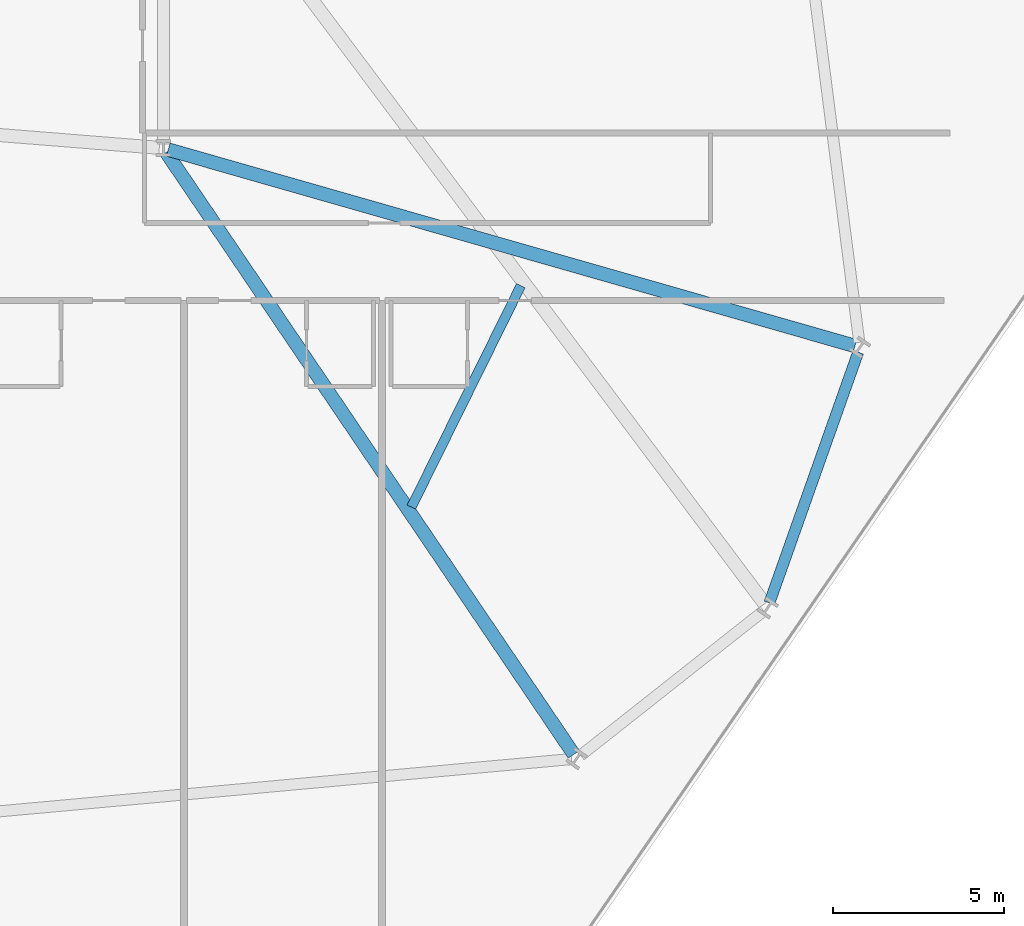
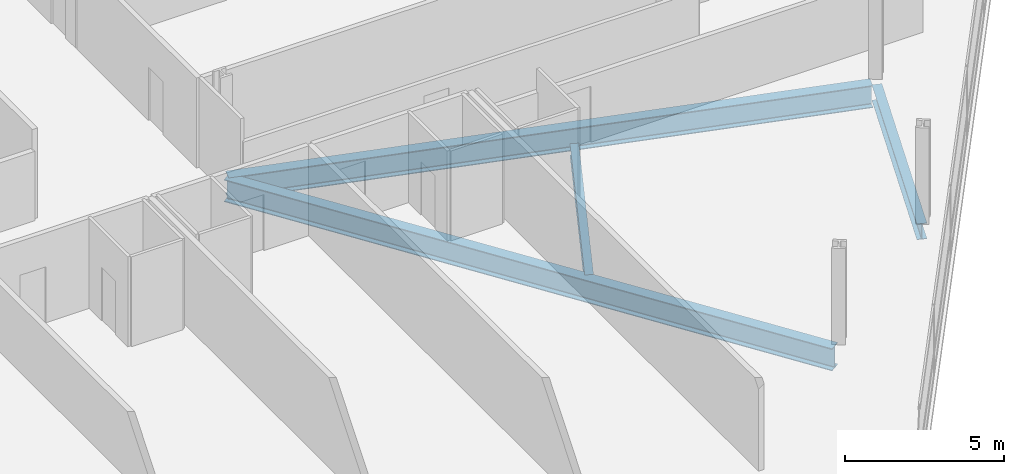
# One storey, part 8 of 25: 4 beams.
"""IFC4 building model written with IfcOpenShell, lengths in metres."""

import ifcopenshell
import ifcopenshell.guid

model = None  # the IFC model being written
_history = None  # IfcOwnerHistory: only IFC2X3 demands one
_inside = {}  # id of a spatial element -> (the spatial element, [elements in it])
_under = {}  # id of a project, library or spatial element -> (it, [spatial elements below it])
_declared = {}  # id of a project -> (the project, [libraries it declares])
_typed = {}  # id of a type object -> (the type object, [elements of that type])
_made_of = {}  # id of a material, layer set ... -> (it, [elements and type objects made of it])


def new_model(schema):
    """Start an empty IFC model of exactly this schema.

    Asked for "IFC4X3", IfcOpenShell would pick the latest addendum, in which some entities
    have other attributes; the version numbers below select the first issue.
    IFC2X3 requires an IfcOwnerHistory on every rooted entity: one is made here for all.
    """
    global model, _history
    if schema == "IFC4X3":
        model = ifcopenshell.file(schema_version=(4, 3, 0, 0))
    else:
        model = ifcopenshell.file(schema=schema)
    _inside.clear()
    _under.clear()
    _declared.clear()
    _typed.clear()
    _made_of.clear()
    _history = None
    if model.schema == "IFC2X3":
        org = make("IfcOrganization", Name="unknown")
        user = make(
            "IfcPersonAndOrganization",
            ThePerson=make("IfcPerson", FamilyName="unknown"),
            TheOrganization=org,
        )
        app = make(
            "IfcApplication",
            ApplicationDeveloper=org,
            Version="unknown",
            ApplicationFullName="unknown",
            ApplicationIdentifier="unknown",
        )
        _history = make(
            "IfcOwnerHistory",
            OwningUser=user,
            OwningApplication=app,
            ChangeAction="ADDED",
            CreationDate=0,
        )
    return model


def make(cls, **values):
    """One entity of the class cls with the attributes given. An attribute that is None is left unset."""
    return model.create_entity(
        cls, **{name: value for name, value in values.items() if value is not None}
    )


def rooted(cls, **values):
    """An entity with a GlobalId (a new one), such as an element, a storey or a relation."""
    return make(cls, GlobalId=ifcopenshell.guid.new(), OwnerHistory=_history, **values)


def si_unit(unit_type, name, prefix=None):
    """IfcSIUnit, for example si_unit("LENGTHUNIT", "METRE", prefix="MILLI")."""
    return make("IfcSIUnit", UnitType=unit_type, Prefix=prefix, Name=name)


def assignment(units):
    """IfcUnitAssignment: the units of a project."""
    return None if units is None else make("IfcUnitAssignment", Units=units)


def point(xyz):
    """IfcCartesianPoint."""
    return None if xyz is None else make("IfcCartesianPoint", Coordinates=xyz)


def direction(xyz):
    """IfcDirection."""
    return None if xyz is None else make("IfcDirection", DirectionRatios=xyz)


def frame(location, z_axis=None, x_axis=None):
    """IfcAxis2Placement3D, a coordinate frame: its origin and axes. An axis left out is left unset."""
    return make(
        "IfcAxis2Placement3D",
        Location=point(location),
        Axis=direction(z_axis),
        RefDirection=direction(x_axis),
    )


def frame_2d(location, x_axis=None):
    """IfcAxis2Placement2D, a coordinate frame in the plane: its origin and x axis."""
    return make(
        "IfcAxis2Placement2D", Location=point(location), RefDirection=direction(x_axis)
    )


def origin():
    """The frame at (0, 0, 0) with its axes left unset."""
    return frame((0.0, 0.0, 0.0))


def origin_2d():
    """The frame at (0, 0) in the plane with its x axis left unset."""
    return frame_2d((0.0, 0.0))


def place(relative_to, where):
    """IfcLocalPlacement: puts the frame where relative to a parent placement (None: the world)."""
    return make(
        "IfcLocalPlacement", PlacementRelTo=relative_to, RelativePlacement=where
    )


def context(
    kind, dimensions, precision=None, world=None, true_north=None, identifier=None
):
    """IfcGeometricRepresentationContext, for example the 3D "Model" context."""
    return make(
        "IfcGeometricRepresentationContext",
        ContextIdentifier=identifier,
        ContextType=kind,
        CoordinateSpaceDimension=dimensions,
        Precision=precision,
        WorldCoordinateSystem=world,
        TrueNorth=true_north,
    )


def subcontext(parent, identifier, kind, view, scale=None):
    """IfcGeometricRepresentationSubContext, for example "Body" below "Model"."""
    return make(
        "IfcGeometricRepresentationSubContext",
        ContextIdentifier=identifier,
        ContextType=kind,
        ParentContext=parent,
        TargetScale=scale,
        TargetView=view,
    )


def project(units=None, contexts=None):
    """IfcProject with its units and contexts."""
    return rooted(
        "IfcProject",
        Name="project",
        RepresentationContexts=contexts,
        UnitsInContext=assignment(units),
    )


def spatial(cls, under=None, at=None, **own):
    """A site, building, storey or space (cls), placed at a placement, below another one or the project."""
    s = rooted(cls, ObjectPlacement=at, **own)
    if under is not None:
        _under.setdefault(under.id(), (under, []))[1].append(s)
    return s


def profile(cls, at=None, kind="AREA", **sizes):
    """A parametric profile (cls). Its sizes go by their IFC names, for example OverallWidth=200.0."""
    return make(cls, ProfileType=kind, Position=at, **sizes)


def i_section(**sizes):
    """IfcIShapeProfileDef."""
    return profile("IfcIShapeProfileDef", **sizes)


def extrude(swept, where, along, depth):
    """IfcExtrudedAreaSolid: the profile swept, set in the frame where, extruded along a direction by depth."""
    return make(
        "IfcExtrudedAreaSolid",
        SweptArea=swept,
        Position=where,
        ExtrudedDirection=direction(along),
        Depth=depth,
    )


def shape(context_of_items, identifier, shape_type, items):
    """IfcShapeRepresentation: the items that make up one representation, for example the "Body"."""
    return make(
        "IfcShapeRepresentation",
        ContextOfItems=context_of_items,
        RepresentationIdentifier=identifier,
        RepresentationType=shape_type,
        Items=items,
    )


def material(Name=None, Category=None):
    """IfcMaterial."""
    return make("IfcMaterial", Name=Name, Category=Category)


def material_profile(
    of_material, cross_section, Name=None, Category=None, Priority=None
):
    """IfcMaterialProfile: a cross section and its material."""
    return make(
        "IfcMaterialProfile",
        Name=Name,
        Material=of_material,
        Profile=cross_section,
        Priority=Priority,
        Category=Category,
    )


def profile_set(profiles, Name=None, composite=None):
    """IfcMaterialProfileSet."""
    return make(
        "IfcMaterialProfileSet",
        Name=Name,
        MaterialProfiles=profiles,
        CompositeProfile=composite,
    )


def made_of(thing, what):
    """Note that an element or type object is made of a material, layer set ...; save() writes the relation."""
    if what is not None:
        _made_of.setdefault(what.id(), (what, []))[1].append(thing)
    return thing


def type_object(cls, material=None, **own):
    """A type object (cls), such as IfcWallType, which elements share."""
    return made_of(rooted(cls, **own), material)


def element(
    cls,
    number,
    at=None,
    inside=None,
    cuts=None,
    type_object=None,
    material=None,
    context=None,
    identifier="Body",
    shape_type=None,
    held_by="IfcProductDefinitionShape",
    body=None,
    shapes=None,
    **own,
):
    """One element of the class cls, such as IfcWall. Its Tag is "e" and its number.

    at: its placement. inside: the storey or other place that contains it. cuts: it is an
    opening in that element (IfcRelVoidsElement). A single representation is given by context,
    identifier, shape_type and body (its items); several are given by shapes. held_by: the class
    of the entity that holds the representations. save() writes the other relations.
    """
    e = rooted(cls, Tag="e%d" % number, ObjectPlacement=at, **own)
    if body is not None:
        shapes = [shape(context, identifier, shape_type, body)]
    if shapes is not None:
        e.Representation = make(held_by, Representations=shapes)
    if inside is not None:
        _inside.setdefault(inside.id(), (inside, []))[1].append(e)
    if cuts is not None:
        rooted(
            "IfcRelVoidsElement", RelatingBuildingElement=cuts, RelatedOpeningElement=e
        )
    if type_object is not None:
        _typed.setdefault(type_object.id(), (type_object, []))[1].append(e)
    return made_of(e, material)


def aggregate(whole, parts):
    """IfcRelAggregates: a whole, such as a stair, and the parts it consists of."""
    return rooted("IfcRelAggregates", RelatingObject=whole, RelatedObjects=parts)


def save(model, path):
    """Write the relations noted so far, then the file.

    IfcRelAggregates (storeys below a building ...), IfcRelContainedInSpatialStructure (elements
    in a storey), IfcRelDefinesByType, IfcRelAssociatesMaterial and IfcRelDeclares: one each for
    every whole, place, type object, material and project.
    """
    for whole, parts in _under.values():
        aggregate(whole, parts)
    for where, things in _inside.values():
        rooted(
            "IfcRelContainedInSpatialStructure",
            RelatedElements=things,
            RelatingStructure=where,
        )
    for kind, things in _typed.values():
        rooted("IfcRelDefinesByType", RelatedObjects=things, RelatingType=kind)
    for what, things in _made_of.values():
        rooted("IfcRelAssociatesMaterial", RelatedObjects=things, RelatingMaterial=what)
    for by, libraries in _declared.values():
        rooted("IfcRelDeclares", RelatingContext=by, RelatedDefinitions=libraries)
    model.write(path)


model = new_model("IFC4")

# Units and contexts
model_context = context("Model", 3, precision=1e-05, world=origin(), true_north=direction((0.0, 1.0)))
body_context = subcontext(model_context, "Body", "Model", "MODEL_VIEW")
ifc_project = project(units=[si_unit("LENGTHUNIT", "METRE"), si_unit("AREAUNIT", "SQUARE_METRE"), si_unit("VOLUMEUNIT", "CUBIC_METRE"), si_unit("PLANEANGLEUNIT", "RADIAN"), si_unit("MASSUNIT", "GRAM", prefix="KILO")], contexts=[model_context])

# Site, building, storey
site_placement = place(None, origin())
site = spatial("IfcSite", under=ifc_project, at=site_placement, CompositionType="ELEMENT")
building_placement = place(site_placement, origin())
building = spatial("IfcBuilding", under=site, at=building_placement, Name="Varnelok Gate Tower", CompositionType="ELEMENT")
storey_placement = place(building_placement, frame((0.0, 0.0, 64.0)))
storey = spatial("IfcBuildingStorey", under=building, at=storey_placement, Name="L15", CompositionType="ELEMENT", Elevation=64.0)

# Beams
ifc_material = material(Name="Structural Steel ASTM A992 Grade 50", Category="steel")
ifc_material_profile_1 = material_profile(ifc_material, i_section(OverallWidth=0.280029296875, OverallDepth=0.462890625, WebThickness=0.0107421875, FlangeThickness=0.017333984375, FilletRadius=0.014892578125, at=origin_2d()), Name="W18X76")
ifc_profile_set_1 = profile_set([ifc_material_profile_1], Name="Structural Steel ASTM A992 Grade 50")
beam_type_1 = type_object("IfcBeamType", Name="BM-JST-W18X76", PredefinedType="JOIST", material=ifc_profile_set_1)
beam_1_placement = place(storey_placement, frame((61.25244140625, 8.306396484375, -0.4814453125), z_axis=(0.443164269457, 0.896440422045, 0.0), x_axis=(-0.896440422045, 0.443164269457, 0.0)))
element("IfcBeam", 1, at=beam_1_placement, inside=storey, type_object=beam_type_1, Name="L15 Sector Floor Joist 5", PredefinedType="JOIST", context=body_context, shape_type="SweptSolid", body=[
    extrude(i_section(OverallWidth=0.280029296875, OverallDepth=0.462890625, WebThickness=0.0107421875, FlangeThickness=0.017333984375, FilletRadius=0.014892578125, at=origin_2d()), origin(), (0.0, 0.0, 1.0), 7.218994140625),
])
ifc_material_profile_2 = material_profile(ifc_material, i_section(OverallWidth=0.39892578125, OverallDepth=0.85498046875, WebThickness=0.018310546875, FlangeThickness=0.029296875, FilletRadius=0.02392578125, at=origin_2d()), Name="W33X201")
ifc_profile_set_2 = profile_set([ifc_material_profile_2], Name="Structural Steel ASTM A992 Grade 50")
beam_type_2 = type_object("IfcBeamType", Name="BM-PRI-W33X201", PredefinedType="BEAM", material=ifc_profile_set_2)
beam_2_placement = place(storey_placement, frame((54.083984375, 18.67578125, -0.677490234375), z_axis=(0.560684565433, -0.828029478995, 0.0), x_axis=(0.828029478995, 0.560684565433, 0.0)))
element("IfcBeam", 2, at=beam_2_placement, inside=storey, type_object=beam_type_2, Name="L15 Radial Floor Girder 6", PredefinedType="BEAM", context=body_context, shape_type="SweptSolid", body=[
    extrude(i_section(OverallWidth=0.39892578125, OverallDepth=0.85498046875, WebThickness=0.018310546875, FlangeThickness=0.029296875, FilletRadius=0.02392578125, at=origin_2d()), origin(), (0.0, 0.0, 1.0), 21.25390625),
])
beam_3_placement = place(storey_placement, frame((54.144287109375, 18.7587890625, -0.677490234375), z_axis=(0.961463485116, -0.274932658643, 0.0), x_axis=(0.274932658643, 0.961463485116, 0.0)))
element("IfcBeam", 3, at=beam_3_placement, inside=storey, type_object=beam_type_2, Name="L15 Radial Floor Girder 8", PredefinedType="BEAM", context=body_context, shape_type="SweptSolid", body=[
    extrude(i_section(OverallWidth=0.39892578125, OverallDepth=0.85498046875, WebThickness=0.018310546875, FlangeThickness=0.029296875, FilletRadius=0.02392578125, at=origin_2d()), origin(), (0.0, 0.0, 1.0), 20.883056640625),
])
ifc_material_profile_3 = material_profile(ifc_material, i_section(OverallWidth=0.323974609375, OverallDepth=0.611083984375, WebThickness=0.0126953125, FlangeThickness=0.01904296875, FilletRadius=0.01806640625, at=origin_2d()), Name="W24X104")
ifc_profile_set_3 = profile_set([ifc_material_profile_3], Name="Structural Steel ASTM A992 Grade 50")
beam_type_3 = type_object("IfcBeamType", Name="BM-SPN-W24X104", PredefinedType="SPANDREL", material=ifc_profile_set_3)
beam_4_placement = place(storey_placement, frame((71.72021484375, 5.50390625, -0.555419921875), z_axis=(0.333887238705, 0.942613023372, 0.0), x_axis=(-0.942613023372, 0.333887238705, 0.0)))
element("IfcBeam", 4, at=beam_4_placement, inside=storey, type_object=beam_type_3, Name="L15 Perimeter Spandrel Beam 7", PredefinedType="SPANDREL", context=body_context, shape_type="SweptSolid", body=[
    extrude(i_section(OverallWidth=0.323974609375, OverallDepth=0.611083984375, WebThickness=0.0126953125, FlangeThickness=0.01904296875, FilletRadius=0.01806640625, at=origin_2d()), origin(), (0.0, 0.0, 1.0), 7.777099609375),
])

save(model, "model.ifc")
